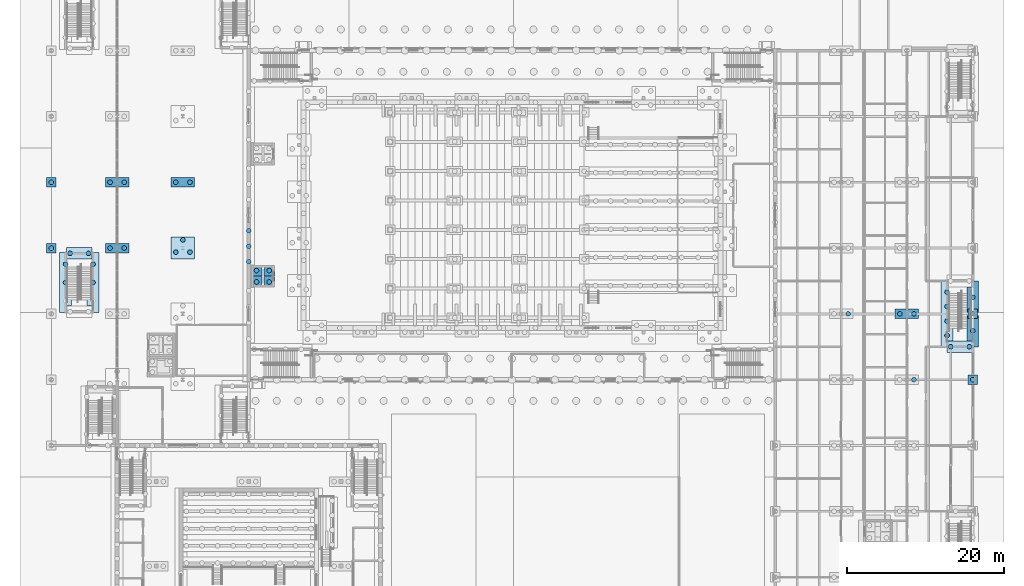
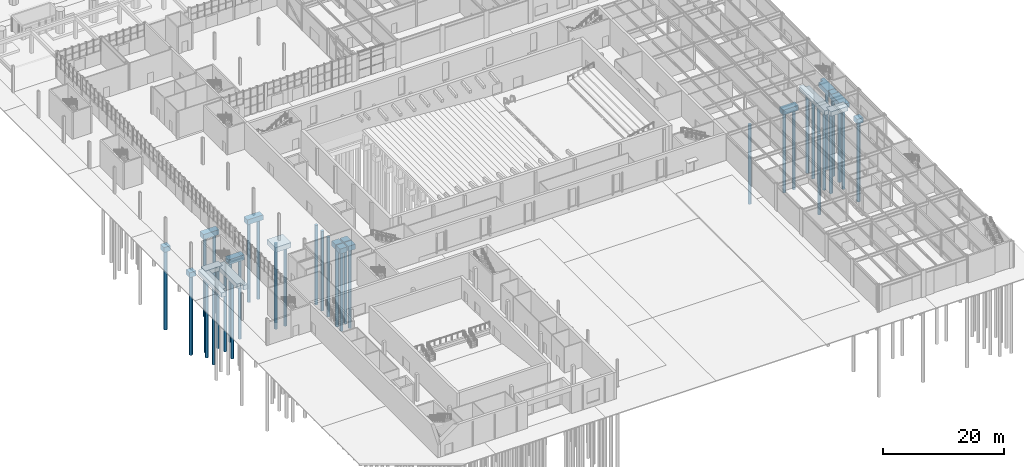
# One storey, part 9 of 127: 38 piles, 20 footings.
"""IFC4 building model written with IfcOpenShell, lengths in metres."""

from ifc_helpers import new_model, si_unit, direction, frame, origin, origin_2d, place, context, subcontext, project, spatial, polyline, circle, outline, extrude, material, layer, layer_set, material_profile, profile_set, type_object, element, save


model = new_model("IFC4")

# Units and contexts
model_context = context("Model", 3, precision=1e-05, world=origin(), true_north=direction((0.0, 1.0)))
body_context = subcontext(model_context, "Body", "Model", "MODEL_VIEW")
ifc_project = project(units=[si_unit("LENGTHUNIT", "METRE"), si_unit("AREAUNIT", "SQUARE_METRE"), si_unit("VOLUMEUNIT", "CUBIC_METRE"), si_unit("PLANEANGLEUNIT", "RADIAN"), si_unit("MASSUNIT", "GRAM", prefix="KILO")], contexts=[model_context])

# Site, building, storey
site_placement = place(None, origin())
site = spatial("IfcSite", under=ifc_project, at=site_placement, CompositionType="ELEMENT")
building_placement = place(site_placement, origin())
building = spatial("IfcBuilding", under=site, at=building_placement, Name="Ljudholm Concert House", CompositionType="ELEMENT")
storey_placement = place(building_placement, origin())
storey = spatial("IfcBuildingStorey", under=building, at=storey_placement, Name="L00", CompositionType="ELEMENT", Elevation=0.0)

# Piles
ifc_material_1 = material(Name="Concrete 5,000 psi", Category="concrete")
ifc_material_profile = material_profile(ifc_material_1, circle(Radius=0.300048828125, at=origin_2d()), Name="AUGER-CAST PILE D600")
ifc_profile_set = profile_set([ifc_material_profile], Name="Concrete 5,000 psi")
pile_type = type_object("IfcPileType", Name="AUGER-CAST PILE D600", PredefinedType="BORED", material=ifc_profile_set)
for number, where, z_axis, x_axis, name in (
    (1, (4.0, 71.199951171875, -1.199951171875), (0.0, 0.0, -1.0), (1.0, 0.0, 0.0), "Pile D600"),
    (2, (4.0, 79.60009765625, -1.199951171875), (0.0, 0.0, -1.0), (1.0, 0.0, 0.0), "Pile D600"),
    (3, (11.5, 71.199951171875, -1.199951171875), (0.0, 0.0, -1.0), (1.0, 0.0, 0.0), "Pile D600"),
    (4, (13.300048828125, 71.199951171875, -1.199951171875), (0.0, 0.0, -1.0), (1.0, 0.0, 0.0), "Pile D600"),
    (5, (11.5, 79.60009765625, -1.199951171875), (0.0, 0.0, -1.0), (1.0, 0.0, 0.0), "Pile D600"),
    (6, (13.300048828125, 79.60009765625, -1.199951171875), (0.0, 0.0, -1.0), (1.0, 0.0, 0.0), "Pile D600"),
    (7, (19.89990234375, 70.680419921875, -1.199951171875), (0.0, 0.0, -1.0), (1.0, 0.0, 0.0), "Pile D600"),
    (8, (21.699951171875, 70.680419921875, -1.199951171875), (0.0, 0.0, -1.0), (1.0, 0.0, 0.0), "Pile D600"),
    (9, (20.800048828125, 72.2392578125, -1.199951171875), (0.0, 0.0, -1.0), (1.0, 0.0, 0.0), "Pile D600"),
    (10, (19.89990234375, 79.60009765625, -1.199951171875), (0.0, 0.0, -1.0), (1.0, 0.0, 0.0), "Pile D600"),
    (11, (21.699951171875, 79.60009765625, -1.199951171875), (0.0, 0.0, -1.0), (1.0, 0.0, 0.0), "Pile D600"),
    (12, (105.699951171875, 62.800048828125, -1.25), (0.0, 0.0, -1.0), (1.0, 0.0, 0.0), "Pile D600"),
    (13, (114.10009765625, 54.39990234375, -1.25), (0.0, 0.0, -1.0), (1.0, 0.0, 0.0), "Pile D600"),
    (14, (112.300048828125, 62.800048828125, -1.25), (0.0, 0.0, -1.0), (1.0, 0.0, 0.0), "Pile D600"),
    (15, (114.10009765625, 62.800048828125, -1.25), (0.0, 0.0, -1.0), (1.0, 0.0, 0.0), "Pile D600"),
    (16, (121.60009765625, 54.39990234375, -1.25), (0.0, 0.0, -1.0), (1.0, 0.0, 0.0), "Pile D600"),
    (17, (121.60009765625, 62.800048828125, -1.25), (0.0, 0.0, -1.0), (1.0, 0.0, 0.0), "Pile D600"),
    (18, (30.199951171875, 66.875, -2.89990234375), (0.0, 0.0, -1.0), (1.0, 0.0, 0.0), "Pile D600"),
    (19, (31.800048828125, 66.875, -2.89990234375), (0.0, 0.0, -1.0), (1.0, 0.0, 0.0), "Pile D600"),
    (20, (30.199951171875, 68.324951171875, -2.89990234375), (0.0, 0.0, -1.0), (1.0, 0.0, 0.0), "Pile D600"),
    (21, (31.800048828125, 68.324951171875, -2.89990234375), (0.0, 0.0, -1.0), (1.0, 0.0, 0.0), "Pile D600"),
    (22, (118.77490234375, 58.60009765625, -1.14990234375), (0.0, 0.0, -1.0), (1.0, 0.0, 0.0), "Pile D600"),
    (23, (121.14990234375, 58.60009765625, -1.14990234375), (0.0, 0.0, -1.0), (1.0, 0.0, 0.0), "Pile D600"),
    (24, (118.324951171875, 60.030517578125, -1.14990234375), (0.0, 0.0, -1.0), (1.0, 0.0, 0.0), "Pile D600"),
    (25, (118.324951171875, 61.876953125, -1.14990234375), (0.0, 0.0, -1.0), (1.0, 0.0, 0.0), "Pile D600"),
    (26, (118.324951171875, 63.72314453125, -1.14990234375), (0.0, 0.0, -1.0), (1.0, 0.0, 0.0), "Pile D600"),
    (27, (118.324951171875, 65.5693359375, -1.14990234375), (0.0, 0.0, -1.0), (1.0, 0.0, 0.0), "Pile D600"),
    (28, (121.60009765625, 60.665283203125, -1.14990234375), (0.0, 0.0, -1.0), (1.0, 0.0, 0.0), "Pile D600"),
    (29, (121.60009765625, 64.934814453125, -1.14990234375), (0.0, 0.0, -1.0), (1.0, 0.0, 0.0), "Pile D600"),
    (30, (29.199951171875, 69.44287109375, -1.199951171875), (0.0, 0.0, -1.0), (1.0, 0.0, 0.0), "Pile D600"),
    (31, (29.199951171875, 71.428466796875, -1.199951171875), (0.0, 0.0, -1.0), (1.0, 0.0, 0.0), "Pile D600"),
    (32, (29.199951171875, 73.414306640625, -1.199951171875), (0.0, 0.0, -1.0), (1.0, 0.0, 0.0), "Pile D600"),
    (33, (6.39990234375, 70.52490234375, -1.10009765625), (0.0, 0.0, -1.0), (1.0, 0.0, 0.0), "Pile D600"),
    (34, (8.75, 70.52490234375, -1.10009765625), (0.0, 0.0, -1.0), (1.0, 0.0, 0.0), "Pile D600"),
    (35, (9.324951171875, 66.800048828125, -1.10009765625), (0.0, 0.0, -1.0), (1.0, 0.0, 0.0), "Pile D600"),
    (36, (9.324951171875, 69.1396484375, -1.10009765625), (0.0, 0.0, -1.0), (1.0, 0.0, 0.0), "Pile D600"),
    (37, (5.824951171875, 66.800048828125, -1.10009765625), (0.0, 0.0, -1.0), (1.0, 0.0, 0.0), "Pile D600"),
    (38, (5.824951171875, 69.1396484375, -1.10009765625), (0.0, 0.0, -1.0), (1.0, 0.0, 0.0), "Pile D600"),
):
    element("IfcPile", number, at=place(storey_placement, frame(where, z_axis=z_axis, x_axis=x_axis)), inside=storey, type_object=pile_type, Name=name, PredefinedType="BORED", context=body_context, shape_type="SweptSolid", body=[
        extrude(circle(Radius=0.300048828125, at=origin_2d()), origin(), (0.0, 0.0, 1.0), 16.0),
    ])

# Footings
ifc_material_2 = material(Name="Concrete 5,000 psi", Category="concrete")
ifc_layer_1 = layer(ifc_material_2, 1.0)
ifc_layer_set_1 = layer_set([ifc_layer_1], Name="Concrete 5,000 psi")
footing_type_1 = type_object("IfcFootingType", Name="RC PILE CAP 1200x1200x1000", PredefinedType="PILE_CAP", material=ifc_layer_set_1)
footing_1_placement = place(storey_placement, frame((0.0, 0.0, -1.199951171875)))
element("IfcFooting", 39, at=footing_1_placement, inside=storey, type_object=footing_type_1, Name="Pile cap", PredefinedType="PILE_CAP", context=body_context, shape_type="SweptSolid", body=[
    extrude(outline(polyline([(3.39990234375, 71.7900390625), (3.39990234375, 70.610107421875), (3.40087890625, 70.606201171875), (3.40283203125, 70.60302734375), (3.40625, 70.600830078125), (3.409912109375, 70.60009765625), (4.590087890625, 70.60009765625), (4.59375, 70.600830078125), (4.59716796875, 70.60302734375), (4.59912109375, 70.606201171875), (4.60009765625, 70.610107421875), (4.60009765625, 71.7900390625), (4.59912109375, 71.7939453125), (4.59716796875, 71.797119140625), (4.59375, 71.79931640625), (4.590087890625, 71.800048828125), (3.409912109375, 71.800048828125), (3.40625, 71.79931640625), (3.40283203125, 71.797119140625), (3.40087890625, 71.7939453125), (3.39990234375, 71.7900390625)])), origin(), (0.0, 0.0, 1.0), 1.0),
])
footing_2_placement = place(storey_placement, frame((0.0, 0.0, -1.199951171875)))
element("IfcFooting", 40, at=footing_2_placement, inside=storey, type_object=footing_type_1, Name="Pile cap", PredefinedType="PILE_CAP", context=body_context, shape_type="SweptSolid", body=[
    extrude(outline(polyline([(3.409912109375, 79.0), (4.590087890625, 79.0), (4.59375, 79.000732421875), (4.59716796875, 79.0029296875), (4.59912109375, 79.006103515625), (4.60009765625, 79.010009765625), (4.60009765625, 80.18994140625), (4.59912109375, 80.19384765625), (4.59716796875, 80.197021484375), (4.59375, 80.19921875), (4.590087890625, 80.199951171875), (3.409912109375, 80.199951171875), (3.40625, 80.19921875), (3.40283203125, 80.197021484375), (3.40087890625, 80.19384765625), (3.39990234375, 80.18994140625), (3.39990234375, 79.010009765625), (3.40087890625, 79.006103515625), (3.40283203125, 79.0029296875), (3.40625, 79.000732421875), (3.409912109375, 79.0)])), origin(), (0.0, 0.0, 1.0), 1.0),
])
footing_3_placement = place(storey_placement, frame((0.0, 0.0, -1.25)))
element("IfcFooting", 41, at=footing_3_placement, inside=storey, type_object=footing_type_1, Name="Pile cap", PredefinedType="PILE_CAP", context=body_context, shape_type="SweptSolid", body=[
    extrude(outline(polyline([(121.010009765625, 53.800048828125), (122.18994140625, 53.800048828125), (122.19384765625, 53.80078125), (122.197021484375, 53.802978515625), (122.19921875, 53.80615234375), (122.199951171875, 53.81005859375), (122.199951171875, 54.989990234375), (122.19921875, 54.993896484375), (122.197021484375, 54.9970703125), (122.19384765625, 54.999267578125), (122.18994140625, 55.0), (121.010009765625, 55.0), (121.006103515625, 54.999267578125), (121.0029296875, 54.9970703125), (121.000732421875, 54.993896484375), (121.0, 54.989990234375), (121.0, 53.81005859375), (121.000732421875, 53.80615234375), (121.0029296875, 53.802978515625), (121.006103515625, 53.80078125), (121.010009765625, 53.800048828125)])), origin(), (0.0, 0.0, 1.0), 1.0),
])
footing_4_placement = place(storey_placement, frame((0.0, 0.0, -1.25)))
element("IfcFooting", 42, at=footing_4_placement, inside=storey, type_object=footing_type_1, Name="Pile cap", PredefinedType="PILE_CAP", context=body_context, shape_type="SweptSolid", body=[
    extrude(outline(polyline([(121.010009765625, 62.199951171875), (122.18994140625, 62.199951171875), (122.19384765625, 62.20068359375), (122.197021484375, 62.202880859375), (122.19921875, 62.2060546875), (122.199951171875, 62.2099609375), (122.199951171875, 63.389892578125), (122.19921875, 63.393798828125), (122.197021484375, 63.39697265625), (122.19384765625, 63.399169921875), (122.18994140625, 63.39990234375), (121.010009765625, 63.39990234375), (121.006103515625, 63.399169921875), (121.0029296875, 63.39697265625), (121.000732421875, 63.393798828125), (121.0, 63.389892578125), (121.0, 62.2099609375), (121.000732421875, 62.2060546875), (121.0029296875, 62.202880859375), (121.006103515625, 62.20068359375), (121.010009765625, 62.199951171875)])), origin(), (0.0, 0.0, 1.0), 1.0),
])
ifc_material_3 = material(Name="Concrete 5,000 psi", Category="concrete")
ifc_layer_2 = layer(ifc_material_3, 1.0)
ifc_layer_set_2 = layer_set([ifc_layer_2], Name="Concrete 5,000 psi")
footing_type_2 = type_object("IfcFootingType", Name="RC PILE CAP 1350x1350x1000", PredefinedType="PILE_CAP", material=ifc_layer_set_2)
footing_5_placement = place(storey_placement, frame((0.0, 0.0, -2.89990234375)))
element("IfcFooting", 43, at=footing_5_placement, inside=storey, type_object=footing_type_2, Name="Pile cap", PredefinedType="PILE_CAP", context=body_context, shape_type="SweptSolid", body=[
    extrude(outline(polyline([(29.534912109375, 66.199951171875), (30.864990234375, 66.199951171875), (30.868896484375, 66.20068359375), (30.8720703125, 66.202880859375), (30.874267578125, 66.2060546875), (30.875, 66.2099609375), (30.875, 67.5400390625), (30.874267578125, 67.5439453125), (30.8720703125, 67.547119140625), (30.868896484375, 67.54931640625), (30.864990234375, 67.550048828125), (29.534912109375, 67.550048828125), (29.53125, 67.54931640625), (29.52783203125, 67.547119140625), (29.52587890625, 67.5439453125), (29.52490234375, 67.5400390625), (29.52490234375, 66.2099609375), (29.52587890625, 66.2060546875), (29.52783203125, 66.202880859375), (29.53125, 66.20068359375), (29.534912109375, 66.199951171875)])), origin(), (0.0, 0.0, 1.0), 1.0),
])
footing_6_placement = place(storey_placement, frame((0.0, 0.0, -2.89990234375)))
element("IfcFooting", 44, at=footing_6_placement, inside=storey, type_object=footing_type_2, Name="Pile cap", PredefinedType="PILE_CAP", context=body_context, shape_type="SweptSolid", body=[
    extrude(outline(polyline([(31.135009765625, 66.199951171875), (32.465087890625, 66.199951171875), (32.46875, 66.20068359375), (32.47216796875, 66.202880859375), (32.47412109375, 66.2060546875), (32.47509765625, 66.2099609375), (32.47509765625, 67.5400390625), (32.47412109375, 67.5439453125), (32.47216796875, 67.547119140625), (32.46875, 67.54931640625), (32.465087890625, 67.550048828125), (31.135009765625, 67.550048828125), (31.131103515625, 67.54931640625), (31.1279296875, 67.547119140625), (31.125732421875, 67.5439453125), (31.125, 67.5400390625), (31.125, 66.2099609375), (31.125732421875, 66.2060546875), (31.1279296875, 66.202880859375), (31.131103515625, 66.20068359375), (31.135009765625, 66.199951171875)])), origin(), (0.0, 0.0, 1.0), 1.0),
])
footing_7_placement = place(storey_placement, frame((0.0, 0.0, -2.89990234375)))
element("IfcFooting", 45, at=footing_7_placement, inside=storey, type_object=footing_type_2, Name="Pile cap", PredefinedType="PILE_CAP", context=body_context, shape_type="SweptSolid", body=[
    extrude(outline(polyline([(29.534912109375, 67.64990234375), (30.864990234375, 67.64990234375), (30.868896484375, 67.65087890625), (30.8720703125, 67.65283203125), (30.874267578125, 67.65625), (30.875, 67.659912109375), (30.875, 68.989990234375), (30.874267578125, 68.993896484375), (30.8720703125, 68.9970703125), (30.868896484375, 68.999267578125), (30.864990234375, 69.0), (29.534912109375, 69.0), (29.53125, 68.999267578125), (29.52783203125, 68.9970703125), (29.52587890625, 68.993896484375), (29.52490234375, 68.989990234375), (29.52490234375, 67.659912109375), (29.52587890625, 67.65625), (29.52783203125, 67.65283203125), (29.53125, 67.65087890625), (29.534912109375, 67.64990234375)])), origin(), (0.0, 0.0, 1.0), 1.0),
])
footing_8_placement = place(storey_placement, frame((0.0, 0.0, -2.89990234375)))
element("IfcFooting", 46, at=footing_8_placement, inside=storey, type_object=footing_type_2, Name="Pile cap", PredefinedType="PILE_CAP", context=body_context, shape_type="SweptSolid", body=[
    extrude(outline(polyline([(31.135009765625, 67.64990234375), (32.465087890625, 67.64990234375), (32.46875, 67.65087890625), (32.47216796875, 67.65283203125), (32.47412109375, 67.65625), (32.47509765625, 67.659912109375), (32.47509765625, 68.989990234375), (32.47412109375, 68.993896484375), (32.47216796875, 68.9970703125), (32.46875, 68.999267578125), (32.465087890625, 69.0), (31.135009765625, 69.0), (31.131103515625, 68.999267578125), (31.1279296875, 68.9970703125), (31.125732421875, 68.993896484375), (31.125, 68.989990234375), (31.125, 67.659912109375), (31.125732421875, 67.65625), (31.1279296875, 67.65283203125), (31.131103515625, 67.65087890625), (31.135009765625, 67.64990234375)])), origin(), (0.0, 0.0, 1.0), 1.0),
])
ifc_material_4 = material(Name="Concrete 5,000 psi", Category="concrete")
ifc_layer_3 = layer(ifc_material_4, 1.0)
ifc_layer_set_3 = layer_set([ifc_layer_3], Name="Concrete 5,000 psi")
footing_type_3 = type_object("IfcFootingType", Name="RC PILE CAP 3000x1200x1000", PredefinedType="PILE_CAP", material=ifc_layer_set_3)
footing_9_placement = place(storey_placement, frame((0.0, 0.0, -1.199951171875)))
element("IfcFooting", 47, at=footing_9_placement, inside=storey, type_object=footing_type_3, Name="Pile cap", PredefinedType="PILE_CAP", context=body_context, shape_type="SweptSolid", body=[
    extrude(outline(polyline([(10.89990234375, 71.7900390625), (10.89990234375, 70.610107421875), (10.901611328125, 70.6044921875), (10.90625, 70.600830078125), (10.909912109375, 70.60009765625), (13.889892578125, 70.60009765625), (13.8955078125, 70.601806640625), (13.899169921875, 70.606201171875), (13.89990234375, 70.610107421875), (13.89990234375, 71.7900390625), (13.898193359375, 71.795654296875), (13.893798828125, 71.79931640625), (13.889892578125, 71.800048828125), (10.909912109375, 71.800048828125), (10.90625, 71.79931640625), (10.90283203125, 71.797119140625), (10.90087890625, 71.7939453125), (10.89990234375, 71.7900390625)])), origin(), (0.0, 0.0, 1.0), 1.0),
])
footing_10_placement = place(storey_placement, frame((0.0, 0.0, -1.199951171875)))
element("IfcFooting", 48, at=footing_10_placement, inside=storey, type_object=footing_type_3, Name="Pile cap", PredefinedType="PILE_CAP", context=body_context, shape_type="SweptSolid", body=[
    extrude(outline(polyline([(10.909912109375, 79.0), (13.889892578125, 79.0), (13.893798828125, 79.000732421875), (13.898193359375, 79.00439453125), (13.89990234375, 79.010009765625), (13.89990234375, 80.18994140625), (13.899169921875, 80.19384765625), (13.8955078125, 80.1982421875), (13.889892578125, 80.199951171875), (10.909912109375, 80.199951171875), (10.90625, 80.19921875), (10.901611328125, 80.195556640625), (10.89990234375, 80.18994140625), (10.89990234375, 79.010009765625), (10.90087890625, 79.006103515625), (10.90283203125, 79.0029296875), (10.90625, 79.000732421875), (10.909912109375, 79.0)])), origin(), (0.0, 0.0, 1.0), 1.0),
])
footing_11_placement = place(storey_placement, frame((0.0, 0.0, -1.199951171875)))
element("IfcFooting", 49, at=footing_11_placement, inside=storey, type_object=footing_type_3, Name="Pile cap", PredefinedType="PILE_CAP", context=body_context, shape_type="SweptSolid", body=[
    extrude(outline(polyline([(19.31005859375, 79.0), (22.2900390625, 79.0), (22.2939453125, 79.000732421875), (22.29833984375, 79.00439453125), (22.300048828125, 79.010009765625), (22.300048828125, 80.18994140625), (22.29931640625, 80.19384765625), (22.295654296875, 80.1982421875), (22.2900390625, 80.199951171875), (19.31005859375, 80.199951171875), (19.30615234375, 80.19921875), (19.3017578125, 80.195556640625), (19.300048828125, 80.18994140625), (19.300048828125, 79.010009765625), (19.30078125, 79.006103515625), (19.302978515625, 79.0029296875), (19.30615234375, 79.000732421875), (19.31005859375, 79.0)])), origin(), (0.0, 0.0, 1.0), 1.0),
])
footing_12_placement = place(storey_placement, frame((0.0, 0.0, -1.25)))
element("IfcFooting", 50, at=footing_12_placement, inside=storey, type_object=footing_type_3, Name="Pile cap", PredefinedType="PILE_CAP", context=body_context, shape_type="SweptSolid", body=[
    extrude(outline(polyline([(111.7099609375, 62.199951171875), (114.68994140625, 62.199951171875), (114.69384765625, 62.20068359375), (114.6982421875, 62.204345703125), (114.699951171875, 62.2099609375), (114.699951171875, 63.389892578125), (114.69921875, 63.393798828125), (114.695556640625, 63.398193359375), (114.68994140625, 63.39990234375), (111.7099609375, 63.39990234375), (111.7060546875, 63.399169921875), (111.70166015625, 63.3955078125), (111.699951171875, 63.389892578125), (111.699951171875, 62.2099609375), (111.70068359375, 62.2060546875), (111.702880859375, 62.202880859375), (111.7060546875, 62.20068359375), (111.7099609375, 62.199951171875)])), origin(), (0.0, 0.0, 1.0), 1.0),
])
ifc_material_5 = material(Name="Concrete 5,000 psi", Category="concrete")
ifc_layer_4 = layer(ifc_material_5, 1.0)
ifc_layer_set_4 = layer_set([ifc_layer_4], Name="Concrete 5,000 psi")
footing_type_4 = type_object("IfcFootingType", Name="RC PILE CAP 3000x2800x1000", PredefinedType="PILE_CAP", material=ifc_layer_set_4)
footing_13_placement = place(storey_placement, frame((0.0, 0.0, -1.199951171875)))
element("IfcFooting", 51, at=footing_13_placement, inside=storey, type_object=footing_type_4, Name="Pile cap", PredefinedType="PILE_CAP", context=body_context, shape_type="SweptSolid", body=[
    extrude(outline(polyline([(19.31005859375, 69.800048828125), (22.2900390625, 69.800048828125), (22.2939453125, 69.80078125), (22.297119140625, 69.802978515625), (22.29931640625, 69.80615234375), (22.300048828125, 69.81005859375), (22.300048828125, 72.590087890625), (22.29931640625, 72.59375), (22.297119140625, 72.59716796875), (22.2939453125, 72.59912109375), (22.2900390625, 72.60009765625), (19.31005859375, 72.60009765625), (19.30615234375, 72.59912109375), (19.302978515625, 72.59716796875), (19.30078125, 72.59375), (19.300048828125, 72.590087890625), (19.300048828125, 69.81005859375), (19.30078125, 69.80615234375), (19.302978515625, 69.802978515625), (19.30615234375, 69.80078125), (19.31005859375, 69.800048828125)])), origin(), (0.0, 0.0, 1.0), 1.0),
])
ifc_material_6 = material(Name="Concrete 5,000 psi", Category="concrete")
ifc_layer_5 = layer(ifc_material_6, 0.89990234375)
ifc_layer_set_5 = layer_set([ifc_layer_5], Name="Concrete 5,000 psi")
footing_type_5 = type_object("IfcFootingType", Name="RC STRIP FOOTING 1500x900", PredefinedType="STRIP_FOOTING", material=ifc_layer_set_5)
footing_14_placement = place(storey_placement, frame((0.0, 0.0, -1.14990234375)))
element("IfcFooting", 52, at=footing_14_placement, inside=storey, type_object=footing_type_5, Name="Strip footing", PredefinedType="STRIP_FOOTING", context=body_context, shape_type="SweptSolid", body=[
    extrude(outline(polyline([(118.3349609375, 57.85009765625), (121.590087890625, 57.85009765625), (121.59375, 57.850830078125), (121.598388671875, 57.8544921875), (121.60009765625, 57.860107421875), (121.60009765625, 59.340087890625), (121.59912109375, 59.34375), (121.595458984375, 59.348388671875), (121.590087890625, 59.35009765625), (118.3349609375, 59.35009765625), (118.3310546875, 59.34912109375), (118.32666015625, 59.345458984375), (118.324951171875, 59.340087890625), (118.324951171875, 57.860107421875), (118.32568359375, 57.856201171875), (118.327880859375, 57.85302734375), (118.3310546875, 57.850830078125), (118.3349609375, 57.85009765625)])), origin(), (0.0, 0.0, 1.0), 0.89990234375),
])
footing_15_placement = place(storey_placement, frame((0.0, 0.0, -1.14990234375)))
element("IfcFooting", 53, at=footing_15_placement, inside=storey, type_object=footing_type_5, Name="Strip footing", PredefinedType="STRIP_FOOTING", context=body_context, shape_type="SweptSolid", body=[
    extrude(outline(polyline([(117.574951171875, 66.989990234375), (117.574951171875, 58.609130859375), (117.57568359375, 58.606201171875), (117.577880859375, 58.60302734375), (117.5810546875, 58.600830078125), (117.5849609375, 58.60009765625), (118.31591796875, 58.60009765625), (118.31982421875, 58.60107421875), (118.322021484375, 58.60302734375), (118.32421875, 58.606201171875), (118.324951171875, 58.610107421875), (118.324951171875, 59.33984375), (118.32568359375, 59.34375), (118.327880859375, 59.34716796875), (118.331298828125, 59.34912109375), (118.335205078125, 59.35009765625), (119.06494140625, 59.35009765625), (119.06884765625, 59.350830078125), (119.072021484375, 59.35302734375), (119.07421875, 59.356201171875), (119.074951171875, 59.359130859375), (119.074951171875, 66.240966796875), (119.07373046875, 66.24462890625), (119.072021484375, 66.2470703125), (119.06884765625, 66.249267578125), (119.06494140625, 66.25), (118.335205078125, 66.25), (118.331298828125, 66.250732421875), (118.327880859375, 66.2529296875), (118.32568359375, 66.256103515625), (118.324951171875, 66.26025390625), (118.324951171875, 66.989990234375), (118.32373046875, 66.99462890625), (118.31982421875, 66.998779296875), (118.31494140625, 67.0), (117.5849609375, 67.0), (117.5810546875, 66.999267578125), (117.577880859375, 66.9970703125), (117.57568359375, 66.993896484375), (117.574951171875, 66.989990234375)])), origin(), (0.0, 0.0, 1.0), 0.89990234375),
])
footing_16_placement = place(storey_placement, frame((0.0, 0.0, -1.14990234375)))
element("IfcFooting", 54, at=footing_16_placement, inside=storey, type_object=footing_type_5, Name="Strip footing", PredefinedType="STRIP_FOOTING", context=body_context, shape_type="SweptSolid", body=[
    extrude(outline(polyline([(120.860107421875, 59.35009765625), (121.58984375, 59.35009765625), (121.59375, 59.34912109375), (121.59716796875, 59.34716796875), (121.59912109375, 59.34375), (121.60009765625, 59.33984375), (121.60009765625, 58.610107421875), (121.60107421875, 58.605224609375), (121.605224609375, 58.60107421875), (121.610107421875, 58.60009765625), (122.340087890625, 58.60009765625), (122.345458984375, 58.601806640625), (122.348876953125, 58.605224609375), (122.35009765625, 58.610107421875), (122.35009765625, 62.603271484375), (122.348388671875, 62.60888671875), (122.34375, 62.612548828125), (122.340087890625, 62.61328125), (122.2099609375, 62.61328125), (122.204345703125, 62.611572265625), (122.20068359375, 62.607177734375), (122.199951171875, 62.603271484375), (122.199951171875, 62.210205078125), (122.19921875, 62.206298828125), (122.197021484375, 62.202880859375), (122.19384765625, 62.20068359375), (122.189697265625, 62.199951171875), (121.007080078125, 62.200439453125), (121.00439453125, 62.20166015625), (121.001708984375, 62.204345703125), (121.0, 62.210205078125), (121.0, 62.603271484375), (120.999267578125, 62.607177734375), (120.99560546875, 62.611572265625), (120.989990234375, 62.61328125), (120.860107421875, 62.61328125), (120.8544921875, 62.611572265625), (120.850830078125, 62.607177734375), (120.85009765625, 62.603271484375), (120.85009765625, 59.360107421875), (120.850830078125, 59.356201171875), (120.85302734375, 59.35302734375), (120.856201171875, 59.350830078125), (120.860107421875, 59.35009765625)])), origin(), (0.0, 0.0, 1.0), 0.89990234375),
])
footing_17_placement = place(storey_placement, frame((0.0, 0.0, -1.14990234375)))
element("IfcFooting", 55, at=footing_17_placement, inside=storey, type_object=footing_type_5, Name="Strip footing", PredefinedType="STRIP_FOOTING", context=body_context, shape_type="SweptSolid", body=[
    extrude(outline(polyline([(120.85009765625, 66.239990234375), (120.85009765625, 62.99658203125), (120.850830078125, 62.992919921875), (120.8544921875, 62.98828125), (120.860107421875, 62.986572265625), (120.989990234375, 62.986572265625), (120.99560546875, 62.98828125), (120.999267578125, 62.992919921875), (121.0, 62.99658203125), (121.0, 63.3896484375), (121.001708984375, 63.3955078125), (121.00439453125, 63.398193359375), (121.007080078125, 63.399658203125), (122.189697265625, 63.39990234375), (122.19384765625, 63.399169921875), (122.197021484375, 63.39697265625), (122.19921875, 63.393798828125), (122.199951171875, 63.3896484375), (122.199951171875, 62.99658203125), (122.20068359375, 62.992919921875), (122.204345703125, 62.98828125), (122.2099609375, 62.986572265625), (122.340087890625, 62.986572265625), (122.34375, 62.987548828125), (122.348388671875, 62.9912109375), (122.35009765625, 62.99658203125), (122.35009765625, 66.989990234375), (122.348876953125, 66.99462890625), (122.3447265625, 66.998779296875), (122.340087890625, 67.0), (121.610107421875, 67.0), (121.605224609375, 66.998779296875), (121.60107421875, 66.99462890625), (121.60009765625, 66.989990234375), (121.60009765625, 66.26025390625), (121.59912109375, 66.256103515625), (121.59716796875, 66.2529296875), (121.59375, 66.250732421875), (121.58984375, 66.25), (120.860107421875, 66.25), (120.856201171875, 66.249267578125), (120.85302734375, 66.2470703125), (120.850830078125, 66.243896484375), (120.85009765625, 66.239990234375)])), origin(), (0.0, 0.0, 1.0), 0.89990234375),
])
footing_18_placement = place(storey_placement, frame((0.0, 0.0, -1.10009765625)))
element("IfcFooting", 56, at=footing_18_placement, inside=storey, type_object=footing_type_5, Name="Strip footing", PredefinedType="STRIP_FOOTING", context=body_context, shape_type="SweptSolid", body=[
    extrude(outline(polyline([(5.9599609375, 69.77490234375), (9.18994140625, 69.77490234375), (9.19384765625, 69.77587890625), (9.1982421875, 69.779541015625), (9.199951171875, 69.784912109375), (9.199951171875, 71.264892578125), (9.19921875, 71.268798828125), (9.195556640625, 71.273193359375), (9.18994140625, 71.27490234375), (5.9599609375, 71.27490234375), (5.9560546875, 71.274169921875), (5.95166015625, 71.2705078125), (5.949951171875, 71.264892578125), (5.949951171875, 69.784912109375), (5.95068359375, 69.78125), (5.952880859375, 69.77783203125), (5.9560546875, 69.77587890625), (5.9599609375, 69.77490234375)])), origin(), (0.0, 0.0, 1.0), 0.900146484375),
])
footing_19_placement = place(storey_placement, frame((0.0, 0.0, -1.10009765625)))
element("IfcFooting", 57, at=footing_19_placement, inside=storey, type_object=footing_type_5, Name="Strip footing", PredefinedType="STRIP_FOOTING", context=body_context, shape_type="SweptSolid", body=[
    extrude(outline(polyline([(8.574951171875, 69.715087890625), (8.5751953125, 63.883056640625), (8.57666015625, 63.87939453125), (8.57861328125, 63.877197265625), (8.58203125, 63.87548828125), (8.5849609375, 63.875), (9.23974609375, 63.875), (9.24462890625, 63.873779296875), (9.248291015625, 63.87060546875), (9.25, 63.86474609375), (9.25, 62.9599609375), (9.251220703125, 62.955322265625), (9.25439453125, 62.95166015625), (9.260009765625, 62.949951171875), (10.06689453125, 62.9501953125), (10.06982421875, 62.951171875), (10.07275390625, 62.95361328125), (10.07421875, 62.9560546875), (10.074951171875, 62.9599609375), (10.074951171875, 70.639892578125), (10.0732421875, 70.6455078125), (10.06982421875, 70.64892578125), (10.06494140625, 70.64990234375), (9.260009765625, 70.64990234375), (9.25439453125, 70.648193359375), (9.251220703125, 70.644775390625), (9.25, 70.639892578125), (9.25, 69.7353515625), (9.248291015625, 69.7294921875), (9.24462890625, 69.72607421875), (9.23974609375, 69.72509765625), (8.5849609375, 69.72509765625), (8.5810546875, 69.72412109375), (8.577880859375, 69.72216796875), (8.57568359375, 69.71875), (8.574951171875, 69.715087890625)])), origin(), (0.0, 0.0, 1.0), 0.900146484375),
])
footing_20_placement = place(storey_placement, frame((0.0, 0.0, -1.10009765625)))
element("IfcFooting", 58, at=footing_20_placement, inside=storey, type_object=footing_type_5, Name="Strip footing", PredefinedType="STRIP_FOOTING", context=body_context, shape_type="SweptSolid", body=[
    extrude(outline(polyline([(5.074951171875, 70.639892578125), (5.074951171875, 62.958984375), (5.076171875, 62.955322265625), (5.07861328125, 62.9521484375), (5.08203125, 62.950439453125), (5.0849609375, 62.949951171875), (5.890869140625, 62.949951171875), (5.894775390625, 62.951171875), (5.897705078125, 62.95361328125), (5.899169921875, 62.9560546875), (5.89990234375, 62.9599609375), (5.89990234375, 63.86474609375), (5.901611328125, 63.87060546875), (5.9052734375, 63.873779296875), (5.91015625, 63.875), (6.56494140625, 63.875), (6.56787109375, 63.87548828125), (6.5712890625, 63.877197265625), (6.57373046875, 63.88037109375), (6.574951171875, 63.884033203125), (6.574951171875, 69.716064453125), (6.57373046875, 69.7197265625), (6.572021484375, 69.72216796875), (6.56884765625, 69.72412109375), (6.56494140625, 69.72509765625), (5.91015625, 69.72509765625), (5.9052734375, 69.72607421875), (5.901611328125, 69.7294921875), (5.89990234375, 69.7353515625), (5.89990234375, 70.639892578125), (5.89892578125, 70.644775390625), (5.8955078125, 70.648193359375), (5.889892578125, 70.64990234375), (5.0849609375, 70.64990234375), (5.0810546875, 70.649169921875), (5.077880859375, 70.64697265625), (5.07568359375, 70.643798828125), (5.074951171875, 70.639892578125)])), origin(), (0.0, 0.0, 1.0), 0.900146484375),
])

save(model, "model.ifc")
